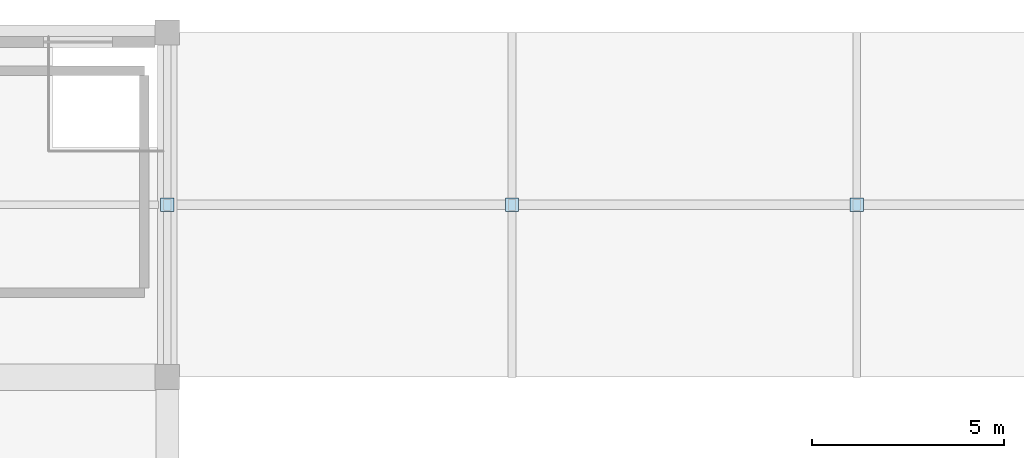
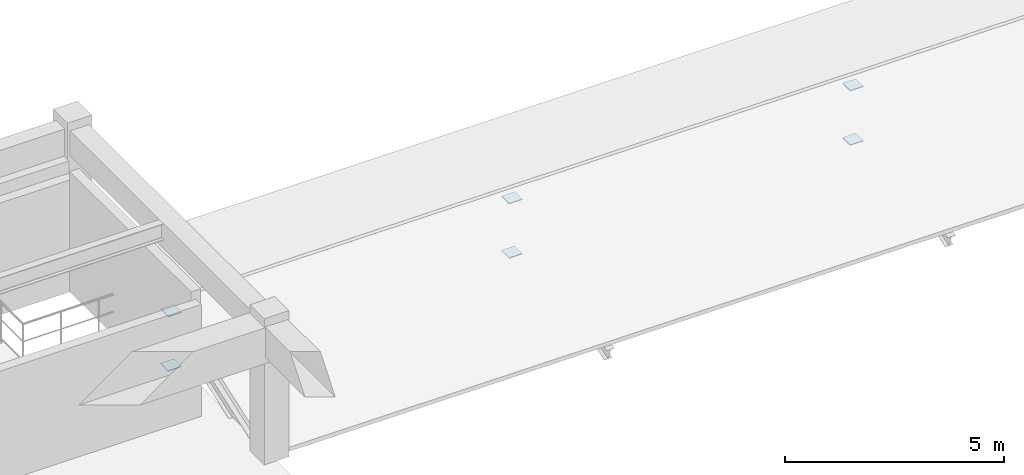
# One storey, part 90 of 110: 6 plates.
"""IFC4 building model written with IfcOpenShell, lengths in metres."""

from ifc_helpers import new_model, si_unit, direction, frame, origin, origin_2d, place, context, subcontext, project, spatial, rectangle, extrude, material, layer, layer_set, type_object, element, save


model = new_model("IFC4")

# Units and contexts
model_context = context("Model", 3, precision=1e-05, world=origin(), true_north=direction((0.0, 1.0)))
body_context = subcontext(model_context, "Body", "Model", "MODEL_VIEW")
ifc_project = project(units=[si_unit("LENGTHUNIT", "METRE"), si_unit("AREAUNIT", "SQUARE_METRE"), si_unit("VOLUMEUNIT", "CUBIC_METRE"), si_unit("PLANEANGLEUNIT", "RADIAN"), si_unit("MASSUNIT", "GRAM", prefix="KILO")], contexts=[model_context])

# Site, building, storey
site_placement = place(None, origin())
site = spatial("IfcSite", under=ifc_project, at=site_placement, CompositionType="ELEMENT")
building_placement = place(site_placement, origin())
building = spatial("IfcBuilding", under=site, at=building_placement, Name="Miravela Opera House", CompositionType="ELEMENT")
storey_placement = place(building_placement, frame((0.0, 0.0, 13.60009765625)))
storey = spatial("IfcBuildingStorey", under=building, at=storey_placement, Name="L03", CompositionType="ELEMENT", Elevation=13.60009765625)

# Plates
ifc_material = material(Name="Structural steel ASTM A572 Gr. 50", Category="steel")
ifc_layer = layer(ifc_material, 0.02001953125)
ifc_layer_set = layer_set([ifc_layer])
plate_type = type_object("IfcPlateType", Name="STR-PL-CAP-350X350X20", PredefinedType="SHEET", material=ifc_layer_set)
for number, where, z_axis, x_axis, name in (
    (1, (117.0, 107.5, -0.26416015625), (0.0, 0.0, 1.0), (1.0, 0.0, 0.0), "HSS Welded End Cap Plate 160"),
    (2, (117.0, 107.5, 1.25390625), (0.0, 0.0, 1.0), (1.0, 0.0, 0.0), "HSS Welded End Cap Plate 161"),
    (3, (126.0, 107.5, -0.26416015625), (0.0, 0.0, 1.0), (1.0, 0.0, 0.0), "HSS Welded End Cap Plate 162"),
    (4, (126.0, 107.5, 1.25390625), (0.0, 0.0, 1.0), (1.0, 0.0, 0.0), "HSS Welded End Cap Plate 163"),
    (5, (135.0, 107.5, -0.26416015625), (0.0, 0.0, 1.0), (1.0, 0.0, 0.0), "HSS Welded End Cap Plate 164"),
    (6, (135.0, 107.5, 1.25390625), (0.0, 0.0, 1.0), (1.0, 0.0, 0.0), "HSS Welded End Cap Plate 165"),
):
    element("IfcPlate", number, at=place(storey_placement, frame(where, z_axis=z_axis, x_axis=x_axis)), inside=storey, type_object=plate_type, Name=name, PredefinedType="SHEET", context=body_context, shape_type="SweptSolid", body=[
        extrude(rectangle(XDim=0.35009765625, YDim=0.35009765625, at=origin_2d()), origin(), (0.0, 0.0, 1.0), 0.02001953125),
    ])

save(model, "model.ifc")
